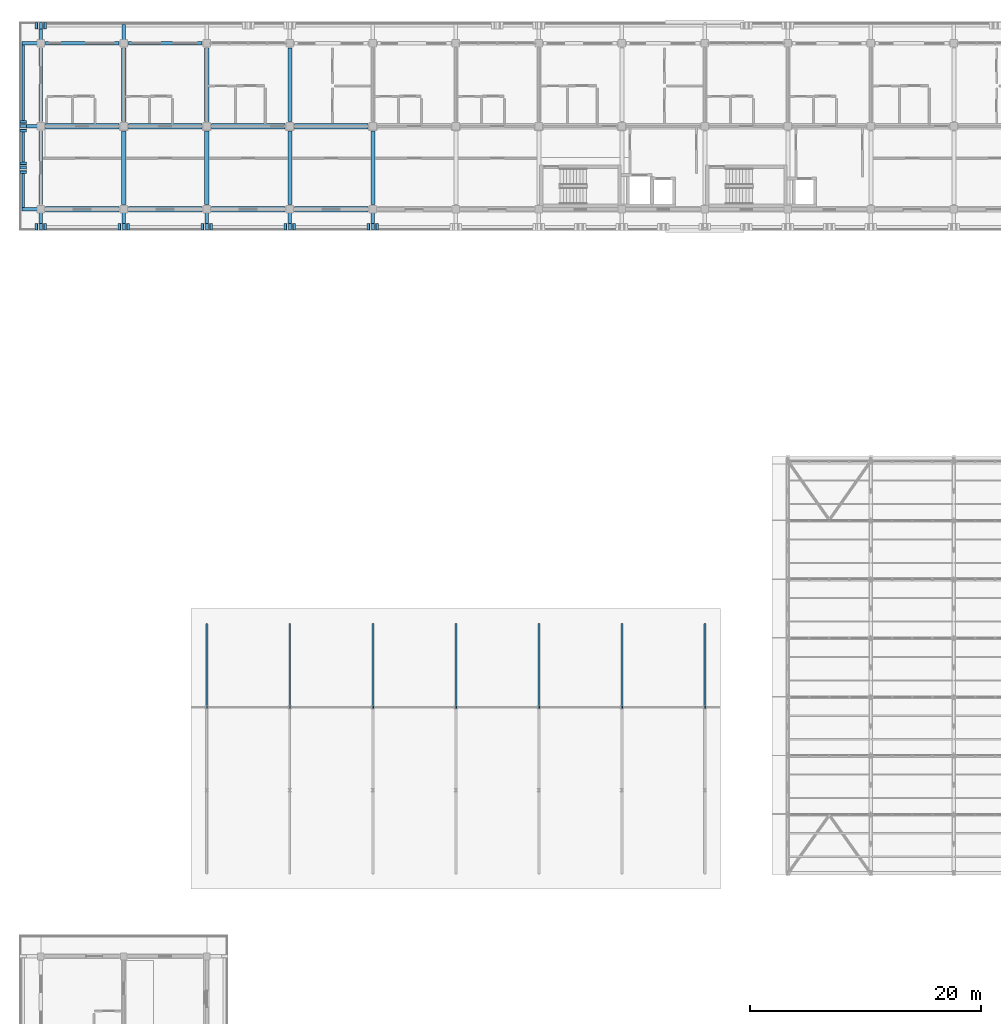
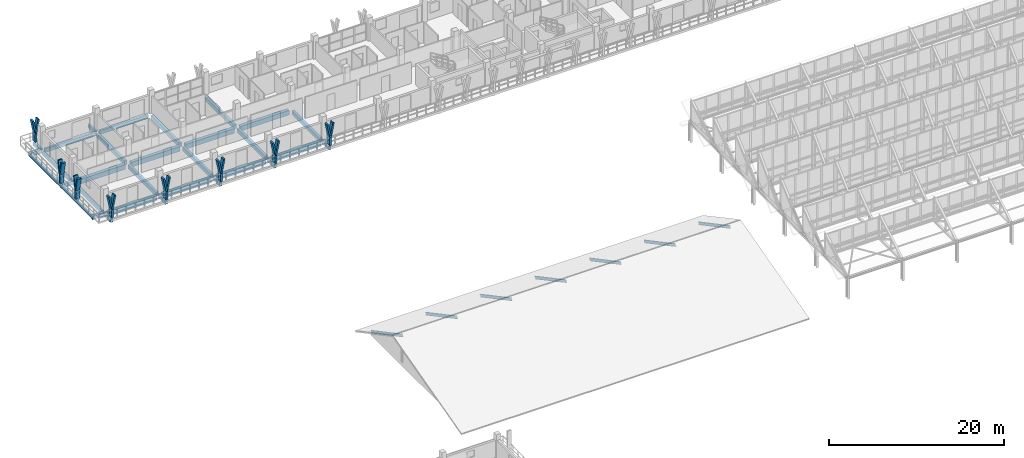
# One storey, part 32 of 157: 37 beams, 24 members.
"""IFC4 building model written with IfcOpenShell, lengths in metres."""

from ifc_helpers import new_model, si_unit, direction, frame, origin, origin_2d, place, context, subcontext, project, spatial, rectangle, i_section, extrude, material, material_profile, profile_set, type_object, element, save


model = new_model("IFC4")

# Units and contexts
model_context = context("Model", 3, precision=1e-05, world=origin(), true_north=direction((0.0, 1.0)))
body_context = subcontext(model_context, "Body", "Model", "MODEL_VIEW")
ifc_project = project(units=[si_unit("LENGTHUNIT", "METRE"), si_unit("AREAUNIT", "SQUARE_METRE"), si_unit("VOLUMEUNIT", "CUBIC_METRE"), si_unit("PLANEANGLEUNIT", "RADIAN"), si_unit("MASSUNIT", "GRAM", prefix="KILO")], contexts=[model_context])

# Site, building, storey
site_placement = place(None, origin())
site = spatial("IfcSite", under=ifc_project, at=site_placement, CompositionType="ELEMENT")
building_placement = place(site_placement, origin())
building = spatial("IfcBuilding", under=site, at=building_placement, Name="Suanplinth Sawtooth Commons", CompositionType="ELEMENT")
storey_placement = place(building_placement, frame((0.0, 0.0, 9.0)))
storey = spatial("IfcBuildingStorey", under=building, at=storey_placement, Name="L02", CompositionType="ELEMENT", Elevation=9.0)

# Beams
ifc_material_1 = material(Name="Precast concrete C40/50", Category="concrete")
ifc_material_profile_1 = material_profile(ifc_material_1, rectangle(XDim=0.449951171875, YDim=0.64990234375, at=origin_2d()), Name="PC-GDR 450x650")
ifc_profile_set_1 = profile_set([ifc_material_profile_1], Name="Precast concrete C40/50")
beam_type_1 = type_object("IfcBeamType", Name="B-04", PredefinedType="USERDEFINED", material=ifc_profile_set_1)
for number, where, z_axis, x_axis, name in (
    (1, (0.39990234375, 108.0, -0.574951171875), (1.0, 0.0, 0.0), (0.0, 1.0, 0.0), "BMX-L02-A-0-15"),
    (2, (0.39990234375, 115.199951171875, -0.574951171875), (1.0, 0.0, 0.0), (0.0, 1.0, 0.0), "BMX-L02-A-0-16"),
):
    element("IfcBeam", number, at=place(storey_placement, frame(where, z_axis=z_axis, x_axis=x_axis)), inside=storey, type_object=beam_type_1, Name=name, ObjectType="GIRDER", PredefinedType="USERDEFINED", context=body_context, shape_type="SweptSolid", body=[
        extrude(rectangle(XDim=0.449951171875, YDim=0.64990234375, at=origin_2d()), origin(), (0.0, 0.0, 1.0), 6.400146484375),
    ])
for number, where, z_axis, x_axis, name in (
    (3, (7.60009765625, 108.0, -0.574951171875), (1.0, 0.0, 0.0), (0.0, 1.0, 0.0), "BMX-L02-A-1-15"),
    (4, (7.60009765625, 115.199951171875, -0.574951171875), (1.0, 0.0, 0.0), (0.0, 1.0, 0.0), "BMX-L02-A-1-16"),
    (5, (14.800048828125, 108.0, -0.574951171875), (1.0, 0.0, 0.0), (0.0, 1.0, 0.0), "BMX-L02-A-2-15"),
    (6, (14.800048828125, 115.199951171875, -0.574951171875), (1.0, 0.0, 0.0), (0.0, 1.0, 0.0), "BMX-L02-A-2-16"),
    (7, (22.0, 108.0, -0.574951171875), (1.0, 0.0, 0.0), (0.0, 1.0, 0.0), "BMX-L02-A-3-15"),
    (8, (22.0, 115.199951171875, -0.574951171875), (1.0, 0.0, 0.0), (0.0, 1.0, 0.0), "BMX-L02-A-3-16"),
):
    element("IfcBeam", number, at=place(storey_placement, frame(where, z_axis=z_axis, x_axis=x_axis)), inside=storey, type_object=beam_type_1, Name=name, ObjectType="GIRDER", PredefinedType="USERDEFINED", context=body_context, shape_type="SweptSolid", body=[
        extrude(rectangle(XDim=0.449951171875, YDim=0.64990234375, at=origin_2d()), origin(), (0.0, 0.0, 1.0), 6.39990234375),
    ])
ifc_material_profile_2 = material_profile(ifc_material_1, rectangle(XDim=0.35009765625, YDim=0.550048828125, at=origin_2d()), Name="PC-BM 350x550")
ifc_profile_set_2 = profile_set([ifc_material_profile_2], Name="Precast concrete C40/50")
beam_type_2 = type_object("IfcBeamType", Name="B-06", PredefinedType="BEAM", material=ifc_profile_set_2)
beam_1_placement = place(storey_placement, frame((7.199951171875, 108.39990234375, -0.52490234375), z_axis=(0.0, 1.0, 0.0), x_axis=(-1.0, 0.0, 0.0)))
element("IfcBeam", 9, at=beam_1_placement, inside=storey, type_object=beam_type_2, Name="BMY-L02-A-1-15", PredefinedType="BEAM", context=body_context, shape_type="SweptSolid", body=[
    extrude(rectangle(XDim=0.35009765625, YDim=0.550048828125, at=origin_2d()), origin(), (0.0, 0.0, 1.0), 6.400146484375),
])
beam_2_placement = place(storey_placement, frame((7.199951171875, 115.60009765625, -0.52490234375), z_axis=(0.0, 1.0, 0.0), x_axis=(-1.0, 0.0, 0.0)))
element("IfcBeam", 10, at=beam_2_placement, inside=storey, type_object=beam_type_2, Name="BMY-L02-A-1-16", PredefinedType="BEAM", context=body_context, shape_type="SweptSolid", body=[
    extrude(rectangle(XDim=0.35009765625, YDim=0.550048828125, at=origin_2d()), origin(), (0.0, 0.0, 1.0), 6.39990234375),
])
beam_3_placement = place(storey_placement, frame((14.39990234375, 108.39990234375, -0.52490234375), z_axis=(0.0, 1.0, 0.0), x_axis=(-1.0, 0.0, 0.0)))
element("IfcBeam", 11, at=beam_3_placement, inside=storey, type_object=beam_type_2, Name="BMY-L02-A-2-15", PredefinedType="BEAM", context=body_context, shape_type="SweptSolid", body=[
    extrude(rectangle(XDim=0.35009765625, YDim=0.550048828125, at=origin_2d()), origin(), (0.0, 0.0, 1.0), 6.400146484375),
])
beam_4_placement = place(storey_placement, frame((14.39990234375, 115.60009765625, -0.52490234375), z_axis=(0.0, 1.0, 0.0), x_axis=(-1.0, 0.0, 0.0)))
element("IfcBeam", 12, at=beam_4_placement, inside=storey, type_object=beam_type_2, Name="BMY-L02-A-2-16", PredefinedType="BEAM", context=body_context, shape_type="SweptSolid", body=[
    extrude(rectangle(XDim=0.35009765625, YDim=0.550048828125, at=origin_2d()), origin(), (0.0, 0.0, 1.0), 6.39990234375),
])
beam_5_placement = place(storey_placement, frame((21.60009765625, 108.39990234375, -0.52490234375), z_axis=(0.0, 1.0, 0.0), x_axis=(-1.0, 0.0, 0.0)))
element("IfcBeam", 13, at=beam_5_placement, inside=storey, type_object=beam_type_2, Name="BMY-L02-A-3-15", PredefinedType="BEAM", context=body_context, shape_type="SweptSolid", body=[
    extrude(rectangle(XDim=0.35009765625, YDim=0.550048828125, at=origin_2d()), origin(), (0.0, 0.0, 1.0), 6.400146484375),
])
beam_6_placement = place(storey_placement, frame((21.60009765625, 115.60009765625, -0.52490234375), z_axis=(0.0, 1.0, 0.0), x_axis=(-1.0, 0.0, 0.0)))
element("IfcBeam", 14, at=beam_6_placement, inside=storey, type_object=beam_type_2, Name="BMY-L02-A-3-16", PredefinedType="BEAM", context=body_context, shape_type="SweptSolid", body=[
    extrude(rectangle(XDim=0.35009765625, YDim=0.550048828125, at=origin_2d()), origin(), (0.0, 0.0, 1.0), 6.39990234375),
])
beam_7_placement = place(storey_placement, frame((28.800048828125, 108.39990234375, -0.52490234375), z_axis=(0.0, 1.0, 0.0), x_axis=(-1.0, 0.0, 0.0)))
element("IfcBeam", 15, at=beam_7_placement, inside=storey, type_object=beam_type_2, Name="BMY-L02-A-4-15", PredefinedType="BEAM", context=body_context, shape_type="SweptSolid", body=[
    extrude(rectangle(XDim=0.35009765625, YDim=0.550048828125, at=origin_2d()), origin(), (0.0, 0.0, 1.0), 6.400146484375),
])
ifc_material_profile_3 = material_profile(ifc_material_1, rectangle(XDim=0.300048828125, YDim=0.5, at=origin_2d()), Name="PC-BM 300x500")
ifc_profile_set_3 = profile_set([ifc_material_profile_3], Name="Precast concrete C40/50")
beam_type_3 = type_object("IfcBeamType", Name="B-07", PredefinedType="BEAM", material=ifc_profile_set_3)
for number, where, z_axis, x_axis, name in (
    (16, (0.0, 122.39990234375, -0.429931640625), (0.0, 1.0, 0.0), (-1.0, 0.0, 0.0), "Balcony Outrigger L02-A-N-0"),
    (17, (7.199951171875, 122.39990234375, -0.429931640625), (0.0, 1.0, 0.0), (-1.0, 0.0, 0.0), "Balcony Outrigger L02-A-N-1"),
):
    element("IfcBeam", number, at=place(storey_placement, frame(where, z_axis=z_axis, x_axis=x_axis)), inside=storey, type_object=beam_type_3, Name=name, PredefinedType="BEAM", context=body_context, shape_type="SweptSolid", body=[
        extrude(rectangle(XDim=0.300048828125, YDim=0.5, at=origin_2d()), origin(), (0.0, 0.0, 1.0), 1.64013671875),
    ])
for number, where, z_axis, x_axis, name in (
    (18, (0.0, 108.0, -0.429931640625), (0.0, -1.0, 0.0), (1.0, 0.0, 0.0), "Balcony Outrigger L02-A-S-0"),
    (19, (7.199951171875, 108.0, -0.429931640625), (0.0, -1.0, 0.0), (1.0, 0.0, 0.0), "Balcony Outrigger L02-A-S-1"),
    (20, (14.39990234375, 108.0, -0.429931640625), (0.0, -1.0, 0.0), (1.0, 0.0, 0.0), "Balcony Outrigger L02-A-S-2"),
    (21, (21.60009765625, 108.0, -0.429931640625), (0.0, -1.0, 0.0), (1.0, 0.0, 0.0), "Balcony Outrigger L02-A-S-3"),
    (22, (28.800048828125, 108.0, -0.429931640625), (0.0, -1.0, 0.0), (1.0, 0.0, 0.0), "Balcony Outrigger L02-A-S-4"),
    (23, (0.0, 108.0, -0.429931640625), (-1.0, 0.0, 0.0), (0.0, -1.0, 0.0), "Balcony Outrigger L02-A-W-15"),
    (24, (0.0, 115.199951171875, -0.429931640625), (-1.0, 0.0, 0.0), (0.0, -1.0, 0.0), "Balcony Outrigger L02-A-W-16"),
    (25, (0.0, 122.39990234375, -0.429931640625), (-1.0, 0.0, 0.0), (0.0, -1.0, 0.0), "Balcony Outrigger L02-A-W-17"),
):
    element("IfcBeam", number, at=place(storey_placement, frame(where, z_axis=z_axis, x_axis=x_axis)), inside=storey, type_object=beam_type_3, Name=name, PredefinedType="BEAM", context=body_context, shape_type="SweptSolid", body=[
        extrude(rectangle(XDim=0.300048828125, YDim=0.5, at=origin_2d()), origin(), (0.0, 0.0, 1.0), 1.639892578125),
    ])
ifc_material_profile_4 = material_profile(ifc_material_1, rectangle(XDim=0.280029296875, YDim=0.52001953125, at=origin_2d()), Name="PC-SP 280x520")
ifc_profile_set_4 = profile_set([ifc_material_profile_4], Name="Precast concrete C40/50")
beam_type_4 = type_object("IfcBeamType", Name="B-08", PredefinedType="SPANDREL", material=ifc_profile_set_4)
beam_8_placement = place(storey_placement, frame((0.39990234375, 122.39990234375, -0.510009765625), z_axis=(1.0, 0.0, 0.0), x_axis=(0.0, 1.0, 0.0)))
element("IfcBeam", 26, at=beam_8_placement, inside=storey, type_object=beam_type_4, Name="BMX-L02-A-0-17", PredefinedType="SPANDREL", context=body_context, shape_type="SweptSolid", body=[
    extrude(rectangle(XDim=0.280029296875, YDim=0.52001953125, at=origin_2d()), origin(), (0.0, 0.0, 1.0), 6.400146484375),
])
beam_9_placement = place(storey_placement, frame((7.60009765625, 122.39990234375, -0.510009765625), z_axis=(1.0, 0.0, 0.0), x_axis=(0.0, 1.0, 0.0)))
element("IfcBeam", 27, at=beam_9_placement, inside=storey, type_object=beam_type_4, Name="BMX-L02-A-1-17", PredefinedType="SPANDREL", context=body_context, shape_type="SweptSolid", body=[
    extrude(rectangle(XDim=0.280029296875, YDim=0.52001953125, at=origin_2d()), origin(), (0.0, 0.0, 1.0), 6.39990234375),
])
beam_10_placement = place(storey_placement, frame((0.0, 108.39990234375, -0.510009765625), z_axis=(0.0, 1.0, 0.0), x_axis=(-1.0, 0.0, 0.0)))
element("IfcBeam", 28, at=beam_10_placement, inside=storey, type_object=beam_type_4, Name="BMY-L02-A-0-15", PredefinedType="SPANDREL", context=body_context, shape_type="SweptSolid", body=[
    extrude(rectangle(XDim=0.280029296875, YDim=0.52001953125, at=origin_2d()), origin(), (0.0, 0.0, 1.0), 6.400146484375),
])
beam_11_placement = place(storey_placement, frame((0.0, 115.60009765625, -0.510009765625), z_axis=(0.0, 1.0, 0.0), x_axis=(-1.0, 0.0, 0.0)))
element("IfcBeam", 29, at=beam_11_placement, inside=storey, type_object=beam_type_4, Name="BMY-L02-A-0-16", PredefinedType="SPANDREL", context=body_context, shape_type="SweptSolid", body=[
    extrude(rectangle(XDim=0.280029296875, YDim=0.52001953125, at=origin_2d()), origin(), (0.0, 0.0, 1.0), 6.39990234375),
])
ifc_material_profile_5 = material_profile(ifc_material_1, rectangle(XDim=0.25, YDim=0.449951171875, at=origin_2d()), Name="PC-SP 250x450")
ifc_profile_set_5 = profile_set([ifc_material_profile_5], Name="Precast concrete C40/50")
beam_type_5 = type_object("IfcBeamType", Name="B-09", PredefinedType="SPANDREL", material=ifc_profile_set_5)
beam_12_placement = place(storey_placement, frame((-1.52001953125, 107.85009765625, -0.405029296875), z_axis=(0.0, 1.0, 0.0), x_axis=(-1.0, 0.0, 0.0)))
element("IfcBeam", 30, at=beam_12_placement, inside=storey, type_object=beam_type_5, Name="Balcony Edge Fascia L02-A-W", PredefinedType="SPANDREL", context=body_context, shape_type="SweptSolid", body=[
    extrude(rectangle(XDim=0.25, YDim=0.449951171875, at=origin_2d()), origin(), (0.0, 0.0, 1.0), 14.699951171875),
])
ifc_material_2 = material(Name="Steel S355JR", Category="steel")
ifc_material_profile_6 = material_profile(ifc_material_2, i_section(OverallWidth=0.169921875, OverallDepth=0.360107421875, WebThickness=0.008056640625, FlangeThickness=0.0126953125, at=origin_2d()), Name="IPE 360")
ifc_profile_set_6 = profile_set([ifc_material_profile_6], Name="Steel S355JR")
beam_type_6 = type_object("IfcBeamType", Name="B-12", PredefinedType="BEAM", material=ifc_profile_set_6)
for number, where, z_axis, x_axis, name in (
    (31, (14.39990234375, 72.0, -0.14990234375), (0.0, -0.882359566888, 0.470575811875), (1.0, 0.0, 0.0), "Market North Rafter 3"),
    (32, (21.60009765625, 72.0, -0.14990234375), (0.0, -0.882359566888, 0.470575811875), (1.0, 0.0, 0.0), "Market North Rafter 4"),
    (33, (28.800048828125, 72.0, -0.14990234375), (0.0, -0.882359566888, 0.470575811875), (1.0, 0.0, 0.0), "Market North Rafter 5"),
    (34, (36.0, 72.0, -0.14990234375), (0.0, -0.882359566888, 0.470575811875), (1.0, 0.0, 0.0), "Market North Rafter 6"),
    (35, (43.199951171875, 72.0, -0.14990234375), (0.0, -0.882359566888, 0.470575811875), (1.0, 0.0, 0.0), "Market North Rafter 7"),
    (36, (50.39990234375, 72.0, -0.14990234375), (0.0, -0.882359566888, 0.470575811875), (1.0, 0.0, 0.0), "Market North Rafter 8"),
    (37, (57.60009765625, 72.0, -0.14990234375), (0.0, -0.882359566888, 0.470575811875), (1.0, 0.0, 0.0), "Market North Rafter 9"),
):
    element("IfcBeam", number, at=place(storey_placement, frame(where, z_axis=z_axis, x_axis=x_axis)), inside=storey, type_object=beam_type_6, Name=name, PredefinedType="BEAM", context=body_context, shape_type="SweptSolid", body=[
        extrude(i_section(OverallWidth=0.169921875, OverallDepth=0.360107421875, WebThickness=0.008056640625, FlangeThickness=0.0126953125, at=origin_2d()), origin(), (0.0, 0.0, 1.0), 8.159912109375),
    ])

# Members
ifc_material_3 = material(Name="Pigmented precast concrete C40/50", Category="concrete")
ifc_material_profile_7 = material_profile(ifc_material_3, rectangle(XDim=0.260009765625, YDim=0.550048828125, at=origin_2d()), Name="PC-FIN 260x550")
ifc_profile_set_7 = profile_set([ifc_material_profile_7], Name="Pigmented precast concrete C40/50")
member_type_1 = type_object("IfcMemberType", Name="M-09", PredefinedType="USERDEFINED", material=ifc_profile_set_7)
for number, where, z_axis, x_axis, name in (
    (38, (0.0, 123.919921875, 0.0), (0.0, 0.0, 1.0), (1.0, 0.0, 0.0), "Y-Blade Stem L02-A-N-01"),
    (39, (0.0, 106.47998046875, 0.0), (0.0, 0.0, 1.0), (1.0, 0.0, 0.0), "Y-Blade Stem L02-A-S-10"),
    (40, (7.199951171875, 106.47998046875, 0.0), (0.0, 0.0, 1.0), (1.0, 0.0, 0.0), "Y-Blade Stem L02-A-S-11"),
    (41, (14.39990234375, 106.47998046875, 0.0), (0.0, 0.0, 1.0), (1.0, 0.0, 0.0), "Y-Blade Stem L02-A-S-12"),
    (42, (21.60009765625, 106.47998046875, 0.0), (0.0, 0.0, 1.0), (1.0, 0.0, 0.0), "Y-Blade Stem L02-A-S-13"),
    (43, (28.800048828125, 106.47998046875, 0.0), (0.0, 0.0, 1.0), (1.0, 0.0, 0.0), "Y-Blade Stem L02-A-S-14"),
    (44, (-1.52001953125, 111.60009765625, 0.0), (0.0, 0.0, 1.0), (0.0, 1.0, 0.0), "Y-Blade Stem L02-A-W-31"),
    (45, (-1.52001953125, 115.199951171875, 0.0), (0.0, 0.0, 1.0), (0.0, 1.0, 0.0), "Y-Blade Stem L02-A-W-32"),
):
    element("IfcMember", number, at=place(storey_placement, frame(where, z_axis=z_axis, x_axis=x_axis)), inside=storey, type_object=member_type_1, Name=name, ObjectType="SHADING FIN", PredefinedType="USERDEFINED", context=body_context, shape_type="SweptSolid", body=[
        extrude(rectangle(XDim=0.260009765625, YDim=0.550048828125, at=origin_2d()), origin(), (0.0, 0.0, 1.0), 1.169921875),
    ])
ifc_material_profile_8 = material_profile(ifc_material_3, rectangle(XDim=0.219970703125, YDim=0.550048828125, at=origin_2d()), Name="PC-FIN 220x550")
ifc_profile_set_8 = profile_set([ifc_material_profile_8], Name="Pigmented precast concrete C40/50")
member_type_2 = type_object("IfcMemberType", Name="M-10", PredefinedType="USERDEFINED", material=ifc_profile_set_8)
for number, where, z_axis, x_axis, name in (
    (46, (0.0, 123.919921875, 1.1298828125), (-0.196406855569, 0.0, 0.980522486782), (0.980522486782, 0.0, 0.196406855569), "Y-Blade Arm L L02-A-N-01"),
    (47, (0.0, 123.919921875, 1.1298828125), (0.196406855569, 0.0, 0.980522486782), (-0.980522486782, 0.0, 0.196406855569), "Y-Blade Arm R L02-A-N-01"),
    (48, (0.0, 106.47998046875, 1.1298828125), (-0.196406855569, 0.0, 0.980522486782), (0.980522486782, 0.0, 0.196406855569), "Y-Blade Arm L L02-A-S-10"),
    (49, (0.0, 106.47998046875, 1.1298828125), (0.196406855569, 0.0, 0.980522486782), (-0.980522486782, 0.0, 0.196406855569), "Y-Blade Arm R L02-A-S-10"),
):
    element("IfcMember", number, at=place(storey_placement, frame(where, z_axis=z_axis, x_axis=x_axis)), inside=storey, type_object=member_type_2, Name=name, ObjectType="SHADING FIN", PredefinedType="USERDEFINED", context=body_context, shape_type="SweptSolid", body=[
        extrude(rectangle(XDim=0.219970703125, YDim=0.550048828125, at=origin_2d()), origin(), (0.0, 0.0, 1.0), 1.93798828125),
    ])
member_1_placement = place(storey_placement, frame((7.199951171875, 106.47998046875, 1.1298828125), z_axis=(-0.196285728346, 0.0, 0.980546741796), x_axis=(0.980546741796, 0.0, 0.196285728346)))
element("IfcMember", 50, at=member_1_placement, inside=storey, type_object=member_type_2, Name="Y-Blade Arm L L02-A-S-11", ObjectType="SHADING FIN", PredefinedType="USERDEFINED", context=body_context, shape_type="SweptSolid", body=[
    extrude(rectangle(XDim=0.219970703125, YDim=0.550048828125, at=origin_2d()), origin(), (0.0, 0.0, 1.0), 1.937744140625),
])
member_2_placement = place(storey_placement, frame((7.199951171875, 106.47998046875, 1.1298828125), z_axis=(0.196406855569, 0.0, 0.980522486782), x_axis=(-0.980522486782, 0.0, 0.196406855569)))
element("IfcMember", 51, at=member_2_placement, inside=storey, type_object=member_type_2, Name="Y-Blade Arm R L02-A-S-11", ObjectType="SHADING FIN", PredefinedType="USERDEFINED", context=body_context, shape_type="SweptSolid", body=[
    extrude(rectangle(XDim=0.219970703125, YDim=0.550048828125, at=origin_2d()), origin(), (0.0, 0.0, 1.0), 1.93798828125),
])
member_3_placement = place(storey_placement, frame((14.39990234375, 106.47998046875, 1.1298828125), z_axis=(-0.196285728346, 0.0, 0.980546741796), x_axis=(0.980546741796, 0.0, 0.196285728346)))
element("IfcMember", 52, at=member_3_placement, inside=storey, type_object=member_type_2, Name="Y-Blade Arm L L02-A-S-12", ObjectType="SHADING FIN", PredefinedType="USERDEFINED", context=body_context, shape_type="SweptSolid", body=[
    extrude(rectangle(XDim=0.219970703125, YDim=0.550048828125, at=origin_2d()), origin(), (0.0, 0.0, 1.0), 1.937744140625),
])
for number, where, z_axis, x_axis, name in (
    (53, (14.39990234375, 106.47998046875, 1.1298828125), (0.196406855569, 0.0, 0.980522486782), (-0.980522486782, 0.0, 0.196406855569), "Y-Blade Arm R L02-A-S-12"),
    (54, (21.60009765625, 106.47998046875, 1.1298828125), (-0.196406855569, 0.0, 0.980522486782), (0.980522486782, 0.0, 0.196406855569), "Y-Blade Arm L L02-A-S-13"),
):
    element("IfcMember", number, at=place(storey_placement, frame(where, z_axis=z_axis, x_axis=x_axis)), inside=storey, type_object=member_type_2, Name=name, ObjectType="SHADING FIN", PredefinedType="USERDEFINED", context=body_context, shape_type="SweptSolid", body=[
        extrude(rectangle(XDim=0.219970703125, YDim=0.550048828125, at=origin_2d()), origin(), (0.0, 0.0, 1.0), 1.93798828125),
    ])
member_4_placement = place(storey_placement, frame((21.60009765625, 106.47998046875, 1.1298828125), z_axis=(0.196285728346, 0.0, 0.980546741796), x_axis=(-0.980546741796, 0.0, 0.196285728346)))
element("IfcMember", 55, at=member_4_placement, inside=storey, type_object=member_type_2, Name="Y-Blade Arm R L02-A-S-13", ObjectType="SHADING FIN", PredefinedType="USERDEFINED", context=body_context, shape_type="SweptSolid", body=[
    extrude(rectangle(XDim=0.219970703125, YDim=0.550048828125, at=origin_2d()), origin(), (0.0, 0.0, 1.0), 1.937744140625),
])
member_5_placement = place(storey_placement, frame((28.800048828125, 106.47998046875, 1.1298828125), z_axis=(-0.196406855569, 0.0, 0.980522486782), x_axis=(0.980522486782, 0.0, 0.196406855569)))
element("IfcMember", 56, at=member_5_placement, inside=storey, type_object=member_type_2, Name="Y-Blade Arm L L02-A-S-14", ObjectType="SHADING FIN", PredefinedType="USERDEFINED", context=body_context, shape_type="SweptSolid", body=[
    extrude(rectangle(XDim=0.219970703125, YDim=0.550048828125, at=origin_2d()), origin(), (0.0, 0.0, 1.0), 1.93798828125),
])
member_6_placement = place(storey_placement, frame((28.800048828125, 106.47998046875, 1.1298828125), z_axis=(0.196285728346, 0.0, 0.980546741796), x_axis=(-0.980546741796, 0.0, 0.196285728346)))
element("IfcMember", 57, at=member_6_placement, inside=storey, type_object=member_type_2, Name="Y-Blade Arm R L02-A-S-14", ObjectType="SHADING FIN", PredefinedType="USERDEFINED", context=body_context, shape_type="SweptSolid", body=[
    extrude(rectangle(XDim=0.219970703125, YDim=0.550048828125, at=origin_2d()), origin(), (0.0, 0.0, 1.0), 1.937744140625),
])
member_7_placement = place(storey_placement, frame((-1.52001953125, 111.60009765625, 1.1298828125), z_axis=(0.0, -0.196406855569, 0.980522486782), x_axis=(0.0, 0.980522486782, 0.196406855569)))
element("IfcMember", 58, at=member_7_placement, inside=storey, type_object=member_type_2, Name="Y-Blade Arm L L02-A-W-31", ObjectType="SHADING FIN", PredefinedType="USERDEFINED", context=body_context, shape_type="SweptSolid", body=[
    extrude(rectangle(XDim=0.219970703125, YDim=0.550048828125, at=origin_2d()), origin(), (0.0, 0.0, 1.0), 1.93798828125),
])
for number, where, z_axis, x_axis, name in (
    (59, (-1.52001953125, 111.60009765625, 1.1298828125), (0.0, 0.196285728346, 0.980546741796), (0.0, -0.980546741796, 0.196285728346), "Y-Blade Arm R L02-A-W-31"),
    (60, (-1.52001953125, 115.199951171875, 1.1298828125), (0.0, -0.196285728346, 0.980546741796), (0.0, 0.980546741796, 0.196285728346), "Y-Blade Arm L L02-A-W-32"),
):
    element("IfcMember", number, at=place(storey_placement, frame(where, z_axis=z_axis, x_axis=x_axis)), inside=storey, type_object=member_type_2, Name=name, ObjectType="SHADING FIN", PredefinedType="USERDEFINED", context=body_context, shape_type="SweptSolid", body=[
        extrude(rectangle(XDim=0.219970703125, YDim=0.550048828125, at=origin_2d()), origin(), (0.0, 0.0, 1.0), 1.937744140625),
    ])
member_8_placement = place(storey_placement, frame((-1.52001953125, 115.199951171875, 1.1298828125), z_axis=(0.0, 0.196406855569, 0.980522486782), x_axis=(0.0, -0.980522486782, 0.196406855569)))
element("IfcMember", 61, at=member_8_placement, inside=storey, type_object=member_type_2, Name="Y-Blade Arm R L02-A-W-32", ObjectType="SHADING FIN", PredefinedType="USERDEFINED", context=body_context, shape_type="SweptSolid", body=[
    extrude(rectangle(XDim=0.219970703125, YDim=0.550048828125, at=origin_2d()), origin(), (0.0, 0.0, 1.0), 1.93798828125),
])

save(model, "model.ifc")
